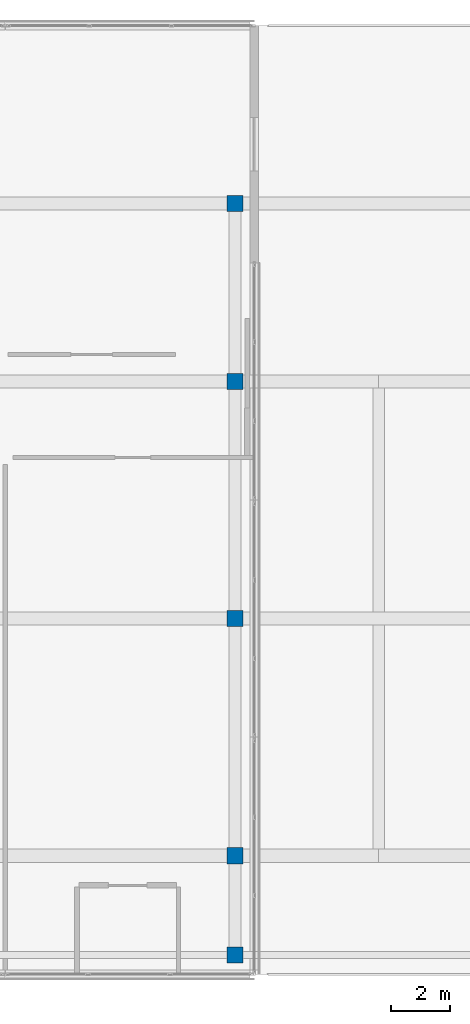
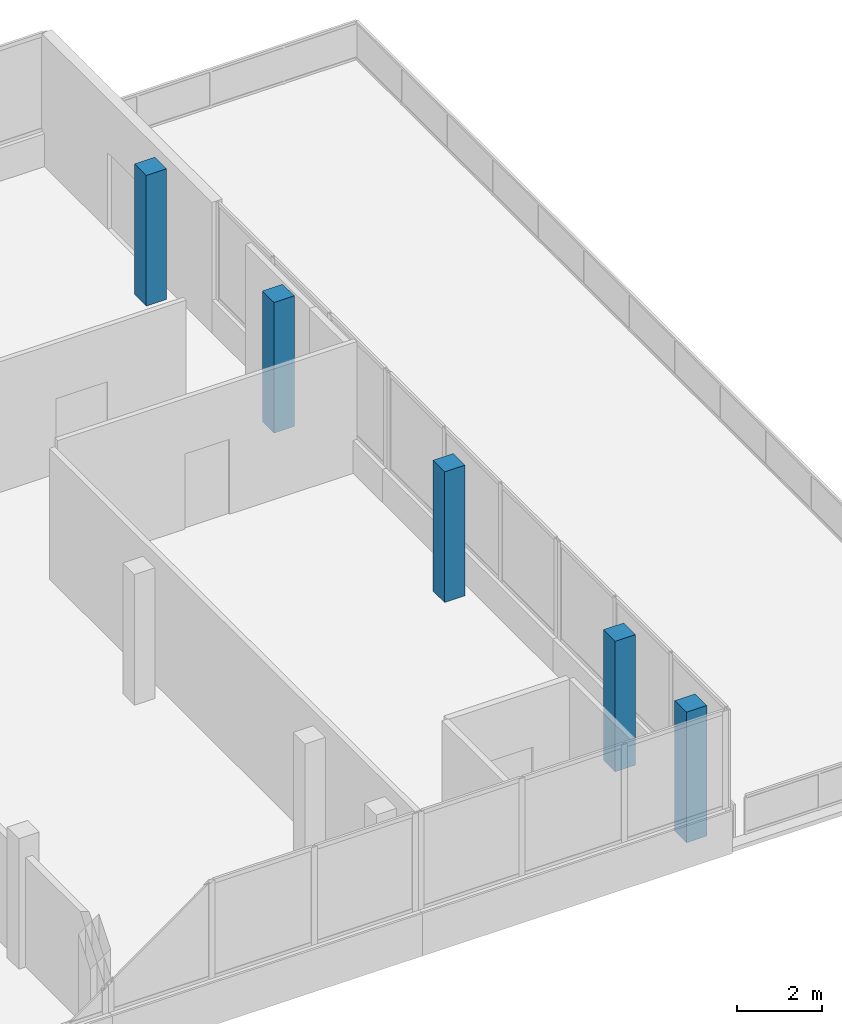
# One storey, part 3 of 67: 5 columns.
"""IFC4 building model written with IfcOpenShell, lengths in metres."""

from ifc_helpers import new_model, si_unit, direction, frame, origin, origin_2d, place, context, subcontext, project, spatial, rectangle, extrude, material, material_profile, profile_set, type_object, element, save


model = new_model("IFC4")

# Units and contexts
model_context = context("Model", 3, precision=1e-05, world=origin(), true_north=direction((0.0, 1.0)))
body_context = subcontext(model_context, "Body", "Model", "MODEL_VIEW")
ifc_project = project(units=[si_unit("LENGTHUNIT", "METRE"), si_unit("AREAUNIT", "SQUARE_METRE"), si_unit("VOLUMEUNIT", "CUBIC_METRE"), si_unit("PLANEANGLEUNIT", "RADIAN"), si_unit("MASSUNIT", "GRAM", prefix="KILO")], contexts=[model_context])

# Site, building, storey
site_placement = place(None, origin())
site = spatial("IfcSite", under=ifc_project, at=site_placement, CompositionType="ELEMENT")
building_placement = place(site_placement, origin())
building = spatial("IfcBuilding", under=site, at=building_placement, Name="Selatvlak General Hospital", CompositionType="ELEMENT")
storey_placement = place(building_placement, frame((0.0, 0.0, 35.39990234375)))
storey = spatial("IfcBuildingStorey", under=building, at=storey_placement, Name="L08", CompositionType="ELEMENT", Elevation=35.39990234375)

# Columns
ifc_material = material(Name="Concrete C40/50", Category="concrete")
ifc_material_profile = material_profile(ifc_material, rectangle(XDim=0.550048828125, YDim=0.550048828125, at=origin_2d()), Name="RC-COL 550x550")
ifc_profile_set = profile_set([ifc_material_profile], Name="Concrete C40/50")
column_type = type_object("IfcColumnType", Name="COL-RC55", PredefinedType="COLUMN", material=ifc_profile_set)
for number, where, z_axis, x_axis, name in (
    (1, (156.550048828125, 88.64990234375, 0.0), (0.0, 0.0, 1.0), (1.0, 0.0, 0.0), "Column 279 on L08"),
    (2, (156.550048828125, 92.0, 0.0), (0.0, 0.0, 1.0), (1.0, 0.0, 0.0), "Column 280 on L08"),
    (3, (156.550048828125, 100.0, 0.0), (0.0, 0.0, 1.0), (1.0, 0.0, 0.0), "Column 281 on L08"),
    (4, (156.550048828125, 108.0, 0.0), (0.0, 0.0, 1.0), (1.0, 0.0, 0.0), "Column 282 on L08"),
    (5, (156.550048828125, 114.0, 0.0), (0.0, 0.0, 1.0), (1.0, 0.0, 0.0), "Column 283 on L08"),
):
    element("IfcColumn", number, at=place(storey_placement, frame(where, z_axis=z_axis, x_axis=x_axis)), inside=storey, type_object=column_type, Name=name, PredefinedType="COLUMN", context=body_context, shape_type="SweptSolid", body=[
        extrude(rectangle(XDim=0.550048828125, YDim=0.550048828125, at=origin_2d()), origin(), (0.0, 0.0, 1.0), 3.739990234375),
    ])

save(model, "model.ifc")
